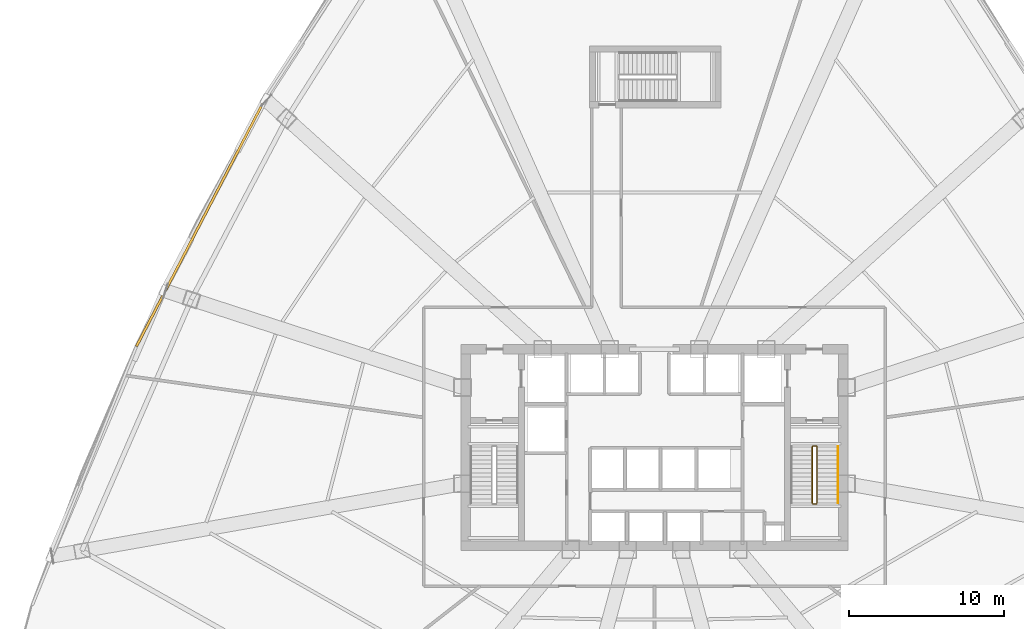
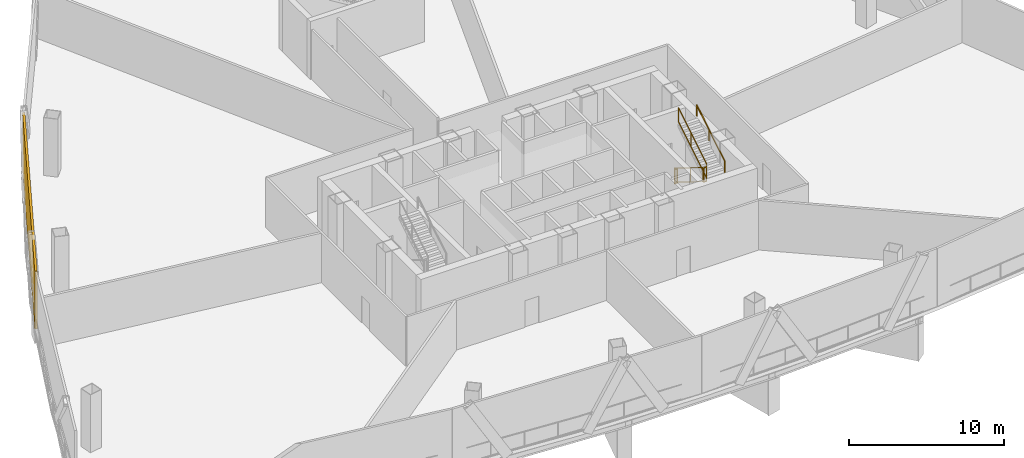
# One storey, part 12 of 15: 5 railings, 1 shading device.
"""IFC4 building model written with IfcOpenShell, lengths in metres."""

from ifc_helpers import new_model, si_unit, direction, frame, origin, origin_2d, place, context, subcontext, project, spatial, rectangle, extrude, source, transform, mapped, material, layer, layer_set, type_object, element, save


model = new_model("IFC4")

# Units and contexts
model_context = context("Model", 3, precision=1e-05, world=origin(), true_north=direction((0.0, 1.0)))
body_context = subcontext(model_context, "Body", "Model", "MODEL_VIEW")
ifc_project = project(units=[si_unit("LENGTHUNIT", "METRE"), si_unit("AREAUNIT", "SQUARE_METRE"), si_unit("VOLUMEUNIT", "CUBIC_METRE"), si_unit("PLANEANGLEUNIT", "RADIAN"), si_unit("MASSUNIT", "GRAM", prefix="KILO"), si_unit("THERMODYNAMICTEMPERATUREUNIT", "KELVIN"), si_unit("POWERUNIT", "WATT")], contexts=[model_context])

# Site, building, storey
site_placement = place(None, origin())
site = spatial("IfcSite", under=ifc_project, at=site_placement, CompositionType="ELEMENT")
building_placement = place(site_placement, origin())
building = spatial("IfcBuilding", under=site, at=building_placement, Name="Yunzhuo Pagoda Commons", CompositionType="ELEMENT")
storey_placement = place(building_placement, frame((0.0, 0.0, 125.030029296875)))
storey = spatial("IfcBuildingStorey", under=building, at=storey_placement, Name="L31", CompositionType="ELEMENT", Elevation=125.030029296875)

# Railings
ifc_material = material(Name="Anodized aluminium 6063-T6", Category="aluminium")
railing_type_1 = type_object("IfcRailingType", Name="GR-ST2 Stair Well Guardrail 1160", PredefinedType="GUARDRAIL", material=ifc_material)
railing_1_placement = place(storey_placement, frame((58.199951171875, 33.89990234375, 0.17138671875)))
element("IfcRailing", 1, at=railing_1_placement, inside=storey, type_object=railing_type_1, Name="L31 ST2 stair guard 1", PredefinedType="GUARDRAIL", context=body_context, shape_type="SweptSolid", body=[
    extrude(rectangle(XDim=0.048095703125, YDim=0.048095703125, at=origin_2d()), frame((0.0, 0.0, 1.1259765625), z_axis=(0.0, -0.852850264322, 0.5221555579), x_axis=(1.0, 0.0, 0.0)), (0.0, 0.0, 1.0), 4.267822265625),
    extrude(rectangle(XDim=0.048095703125, YDim=0.048095703125, at=origin_2d()), frame((0.0, 0.0, 0.02392578125), z_axis=(0.0, -0.852850264322, 0.5221555579), x_axis=(1.0, 0.0, 0.0)), (0.0, 0.0, 1.0), 4.267822265625),
    extrude(rectangle(XDim=0.0419921875, YDim=0.0419921875, at=origin_2d()), origin(), (0.0, 0.0, 1.0), 1.101806640625),
    extrude(rectangle(XDim=0.0419921875, YDim=0.0419921875, at=origin_2d()), frame((0.0, -2.046875, 1.253173828125)), (0.0, 0.0, 1.0), 1.101806640625),
    extrude(rectangle(XDim=0.0419921875, YDim=0.0419921875, at=origin_2d()), frame((0.0, -3.639892578125, 2.228515625)), (0.0, 0.0, 1.0), 1.101806640625),
])
railing_2_placement = place(storey_placement, frame((58.25, 30.2099609375, 2.39990234375)))
element("IfcRailing", 2, at=railing_2_placement, inside=storey, type_object=railing_type_1, Name="L31 ST2 stair guard 2", PredefinedType="GUARDRAIL", context=body_context, shape_type="SweptSolid", body=[
    extrude(rectangle(XDim=0.048095703125, YDim=0.048095703125, at=origin_2d()), frame((0.0, 0.0, 1.1259765625), z_axis=(1.0, 0.0, 0.0), x_axis=(0.0, 1.0, 0.0)), (0.0, 0.0, 1.0), 0.199951171875),
    extrude(rectangle(XDim=0.048095703125, YDim=0.048095703125, at=origin_2d()), frame((0.0, 0.0, 0.02392578125), z_axis=(1.0, 0.0, 0.0), x_axis=(0.0, 1.0, 0.0)), (0.0, 0.0, 1.0), 0.199951171875),
    extrude(rectangle(XDim=0.0419921875, YDim=0.0419921875, at=origin_2d()), origin(), (0.0, 0.0, 1.0), 1.101806640625),
    extrude(rectangle(XDim=0.0419921875, YDim=0.0419921875, at=origin_2d()), frame((0.199951171875, 0.0, 0.0)), (0.0, 0.0, 1.0), 1.101806640625),
])
railing_3_placement = place(storey_placement, frame((58.5, 30.260009765625, 2.5712890625)))
element("IfcRailing", 3, at=railing_3_placement, inside=storey, type_object=railing_type_1, Name="L31 ST2 stair guard 3", PredefinedType="GUARDRAIL", context=body_context, shape_type="SweptSolid", body=[
    extrude(rectangle(XDim=0.048095703125, YDim=0.048095703125, at=origin_2d()), frame((0.0, 0.0, 1.1259765625), z_axis=(0.0, 0.852824790078, 0.522197163366), x_axis=(-1.0, 0.0, 0.0)), (0.0, 0.0, 1.0), 4.26806640625),
    extrude(rectangle(XDim=0.048095703125, YDim=0.048095703125, at=origin_2d()), frame((0.0, 0.0, 0.02392578125), z_axis=(0.0, 0.852824790078, 0.522197163366), x_axis=(-1.0, 0.0, 0.0)), (0.0, 0.0, 1.0), 4.26806640625),
    extrude(rectangle(XDim=0.0419921875, YDim=0.0419921875, at=origin_2d()), origin(), (0.0, 0.0, 1.0), 1.101806640625),
    extrude(rectangle(XDim=0.0419921875, YDim=0.0419921875, at=origin_2d()), frame((0.0, 2.046875, 1.253173828125)), (0.0, 0.0, 1.0), 1.101806640625),
    extrude(rectangle(XDim=0.0419921875, YDim=0.0419921875, at=origin_2d()), frame((0.0, 3.639892578125, 2.228759765625)), (0.0, 0.0, 1.0), 1.101806640625),
])
railing_4_placement = place(storey_placement, frame((58.25, 33.949951171875, 0.0)))
element("IfcRailing", 4, at=railing_4_placement, inside=storey, type_object=railing_type_1, Name="L31 ST2 stair guard 4", PredefinedType="GUARDRAIL", context=body_context, shape_type="SweptSolid", body=[
    extrude(rectangle(XDim=0.048095703125, YDim=0.048095703125, at=origin_2d()), frame((0.0, 0.0, 1.1259765625), z_axis=(1.0, 0.0, 0.0), x_axis=(0.0, 1.0, 0.0)), (0.0, 0.0, 1.0), 0.199951171875),
    extrude(rectangle(XDim=0.048095703125, YDim=0.048095703125, at=origin_2d()), frame((0.0, 0.0, 0.02392578125), z_axis=(1.0, 0.0, 0.0), x_axis=(0.0, 1.0, 0.0)), (0.0, 0.0, 1.0), 0.199951171875),
    extrude(rectangle(XDim=0.0419921875, YDim=0.0419921875, at=origin_2d()), origin(), (0.0, 0.0, 1.0), 1.101806640625),
    extrude(rectangle(XDim=0.0419921875, YDim=0.0419921875, at=origin_2d()), frame((0.199951171875, 0.0, 0.0)), (0.0, 0.0, 1.0), 1.101806640625),
])
railing_type_2 = type_object("IfcRailingType", Name="HR-ST2 Stair Handrail 900", PredefinedType="HANDRAIL", material=ifc_material)
railing_5_placement = place(storey_placement, frame((59.85009765625, 30.260009765625, 2.5712890625)))
element("IfcRailing", 5, at=railing_5_placement, inside=storey, type_object=railing_type_2, Name="L31 ST2 stair handrail 2", PredefinedType="HANDRAIL", context=body_context, shape_type="SweptSolid", body=[
    extrude(rectangle(XDim=0.048095703125, YDim=0.048095703125, at=origin_2d()), frame((0.0, 0.0, 0.8759765625), z_axis=(0.0, 0.852824790078, 0.522197163366), x_axis=(-1.0, 0.0, 0.0)), (0.0, 0.0, 1.0), 4.26806640625),
    extrude(rectangle(XDim=0.0419921875, YDim=0.0419921875, at=origin_2d()), origin(), (0.0, 0.0, 1.0), 0.851806640625),
    extrude(rectangle(XDim=0.0419921875, YDim=0.0419921875, at=origin_2d()), frame((0.0, 2.046875, 1.253173828125)), (0.0, 0.0, 1.0), 0.851806640625),
    extrude(rectangle(XDim=0.0419921875, YDim=0.0419921875, at=origin_2d()), frame((0.0, 3.639892578125, 2.228759765625)), (0.0, 0.0, 1.0), 0.851806640625),
])

# Shading device
ifc_layer = layer(ifc_material, 0.159912109375)
ifc_layer_set = layer_set([ifc_layer], Name="Anodized aluminium 6063-T6")
shading_device_type = type_object("IfcShadingDeviceType", Name="SH-SCR1 Stormproof Refuge Louvre Screen", PredefinedType="JALOUSIE", material=ifc_layer_set)
shared_shape = source(origin(), body_context, "Body", "SweptSolid", [
    extrude(rectangle(XDim=17.840087890625, YDim=0.159912109375, at=origin_2d()), origin(), (0.0, 0.0, 1.0), 4.5400390625),
])
shading_device_placement = place(storey_placement, frame((18.649169921875, 48.306396484375, 0.0), z_axis=(0.0, 0.0, 1.0), x_axis=(-0.461206683033, -0.88729273384, 0.0)))
element("IfcShadingDevice", 6, at=shading_device_placement, inside=storey, type_object=shading_device_type, Name="L31 stormproof refuge louvre screen F3.3", PredefinedType="JALOUSIE", context=body_context, shape_type="MappedRepresentation", body=[
    mapped(shared_shape, transform((0.0, 0.0, 0.0), scale=1.0)),
])

save(model, "model.ifc")
